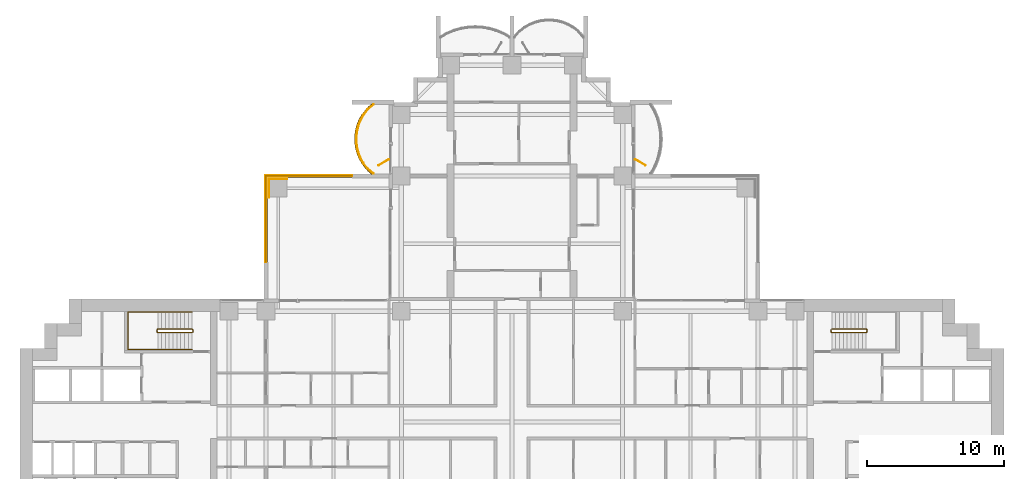
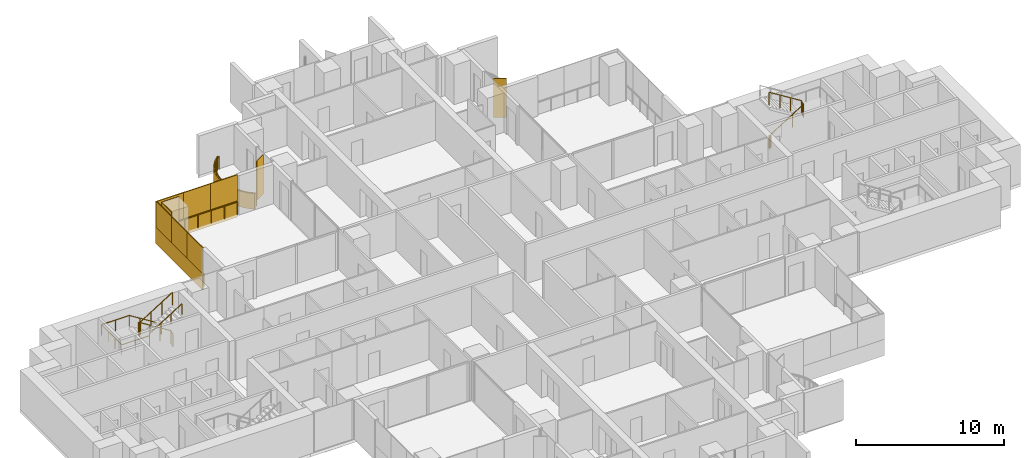
# One storey, part 19 of 20: 10 coverings, 5 railings, 2 shading devices.
"""IFC4 building model written with IfcOpenShell, lengths in metres."""

from ifc_helpers import new_model, si_unit, direction, frame, origin, origin_2d, place, context, subcontext, project, spatial, polyline, rectangle, outline, extrude, material, layer, layer_set, type_object, element, save


model = new_model("IFC4")

# Units and contexts
model_context = context("Model", 3, precision=1e-05, world=origin(), true_north=direction((0.0, 1.0)))
body_context = subcontext(model_context, "Body", "Model", "MODEL_VIEW")
ifc_project = project(units=[si_unit("LENGTHUNIT", "METRE"), si_unit("AREAUNIT", "SQUARE_METRE"), si_unit("VOLUMEUNIT", "CUBIC_METRE"), si_unit("PLANEANGLEUNIT", "RADIAN"), si_unit("MASSUNIT", "GRAM", prefix="KILO")], contexts=[model_context])

# Site, building, storey
site_placement = place(None, origin())
site = spatial("IfcSite", under=ifc_project, at=site_placement, CompositionType="ELEMENT")
building_placement = place(site_placement, origin())
building = spatial("IfcBuilding", under=site, at=building_placement, Name="Perihelion Cross Residences", CompositionType="ELEMENT")
storey_placement = place(building_placement, frame((0.0, 0.0, 82.0)))
storey = spatial("IfcBuildingStorey", under=building, at=storey_placement, Name="L18", CompositionType="ELEMENT", Elevation=82.0)

# Covering
ifc_material_1 = material(Name="Bronze anodised aluminium", Category="aluminium")
ifc_layer_1 = layer(ifc_material_1, 0.070068359375)
ifc_layer_set_1 = layer_set([ifc_layer_1], Name="Balcony fascia 1300")
covering_type_1 = type_object("IfcCoveringType", Name="Balcony fascia 1300", PredefinedType="CLADDING", material=ifc_layer_set_1)
covering_1_placement = place(storey_placement, frame((0.0, 0.0, -0.199951171875)))
element("IfcCovering", 1, at=covering_1_placement, inside=storey, type_object=covering_type_1, Name="Fascia BF1 L18 north side west bay 1", PredefinedType="CLADDING", context=body_context, shape_type="SweptSolid", body=[
    extrude(outline(polyline([(-10.674072265625, 22.90478515625), (-10.982666015625, 22.50390625), (-11.20654296875, 22.10302734375), (-11.364013671875, 21.7021484375), (-11.464599609375, 21.30126953125), (-11.513916015625, 20.900390625), (-11.513916015625, 20.49951171875), (-11.464599609375, 20.0986328125), (-11.364013671875, 19.69775390625), (-11.20654296875, 19.296875), (-10.982666015625, 18.89599609375), (-10.674072265625, 18.4951171875), (-10.302734375, 18.14990234375), (-10.199951171875, 18.14990234375), (-10.622314453125, 18.542236328125), (-10.924072265625, 18.9345703125), (-11.143310546875, 19.326904296875), (-11.29736328125, 19.71923828125), (-11.39599609375, 20.111572265625), (-11.444091796875, 20.50390625), (-11.444091796875, 20.896240234375), (-11.39599609375, 21.28857421875), (-11.29736328125, 21.6806640625), (-11.143310546875, 22.072998046875), (-10.924072265625, 22.46533203125), (-10.622314453125, 22.857666015625), (-10.199951171875, 23.25), (-10.302734375, 23.25), (-10.674072265625, 22.90478515625)])), origin(), (0.0, 0.0, 1.0), 1.300048828125),
])

# Railings
ifc_material_2 = material(Name="Bronze anodised aluminium", Category="aluminium")
railing_type_1 = type_object("IfcRailingType", Name="Balcony guard 1100", PredefinedType="GUARDRAIL", material=ifc_material_2)
railing_1_placement = place(storey_placement, frame((-10.139892578125, 23.22509765625, 0.0)))
element("IfcRailing", 2, at=railing_1_placement, inside=storey, type_object=railing_type_1, Name="Guard GU1 L18 north side west bay 1 balcony", PredefinedType="GUARDRAIL", context=body_context, shape_type="SweptSolid", body=[
    extrude(rectangle(XDim=0.048095703125, YDim=0.048095703125, at=origin_2d()), frame((0.0, 0.0, 1.076171875), z_axis=(-0.754464673757, -0.656340655493, 0.0), x_axis=(0.656340655493, -0.754464673757, 0.0)), (0.0, 0.0, 1.0), 0.559814453125),
    extrude(rectangle(XDim=0.048095703125, YDim=0.048095703125, at=origin_2d()), frame((-0.42236328125, -0.367431640625, 1.076171875), z_axis=(-0.60966308455, -0.792660660899, 0.0), x_axis=(0.792660660899, -0.60966308455, 0.0)), (0.0, 0.0, 1.0), 0.494873046875),
    extrude(rectangle(XDim=0.048095703125, YDim=0.048095703125, at=origin_2d()), frame((-0.72412109375, -0.759765625, 1.076171875), z_axis=(-0.487809182674, -0.872950285698, 0.0), x_axis=(0.872950285698, -0.487809182674, 0.0)), (0.0, 0.0, 1.0), 0.449462890625),
    extrude(rectangle(XDim=0.048095703125, YDim=0.048095703125, at=origin_2d()), frame((-0.943359375, -1.152099609375, 1.076171875), z_axis=(-0.365491079925, -0.930814842219, 0.0), x_axis=(0.930814842219, -0.365491079925, 0.0)), (0.0, 0.0, 1.0), 0.42138671875),
    extrude(rectangle(XDim=0.048095703125, YDim=0.048095703125, at=origin_2d()), frame((-1.097412109375, -1.54443359375, 1.076171875), z_axis=(-0.243956193074, -0.969786252666, 0.0), x_axis=(0.969786252666, -0.243956193074, 0.0)), (0.0, 0.0, 1.0), 0.404296875),
    extrude(rectangle(XDim=0.048095703125, YDim=0.048095703125, at=origin_2d()), frame((-1.196044921875, -1.9365234375, 1.076171875), z_axis=(-0.121677797999, -0.992569651699, 0.0), x_axis=(0.992569651699, -0.121677797999, 0.0)), (0.0, 0.0, 1.0), 0.395263671875),
    extrude(rectangle(XDim=0.048095703125, YDim=0.048095703125, at=origin_2d()), frame((-1.244140625, -2.328857421875, 1.076171875), z_axis=(0.0, -1.0, 0.0), x_axis=(1.0, 0.0, 0.0)), (0.0, 0.0, 1.0), 0.392333984375),
    extrude(rectangle(XDim=0.048095703125, YDim=0.048095703125, at=origin_2d()), frame((-1.244140625, -2.72119140625, 1.076171875), z_axis=(0.121677797999, -0.992569651699, 0.0), x_axis=(0.992569651699, 0.121677797999, 0.0)), (0.0, 0.0, 1.0), 0.395263671875),
    extrude(rectangle(XDim=0.048095703125, YDim=0.048095703125, at=origin_2d()), frame((-1.196044921875, -3.113525390625, 1.076171875), z_axis=(0.243813411509, -0.969822159145, 0.0), x_axis=(0.969822159145, 0.243813411509, 0.0)), (0.0, 0.0, 1.0), 0.404541015625),
    extrude(rectangle(XDim=0.048095703125, YDim=0.048095703125, at=origin_2d()), frame((-1.097412109375, -3.505859375, 1.076171875), z_axis=(0.365491079925, -0.930814842219, 0.0), x_axis=(0.930814842219, 0.365491079925, 0.0)), (0.0, 0.0, 1.0), 0.42138671875),
    extrude(rectangle(XDim=0.048095703125, YDim=0.048095703125, at=origin_2d()), frame((-0.943359375, -3.898193359375, 1.076171875), z_axis=(0.487809182674, -0.872950285698, 0.0), x_axis=(0.872950285698, 0.487809182674, 0.0)), (0.0, 0.0, 1.0), 0.449462890625),
    extrude(rectangle(XDim=0.048095703125, YDim=0.048095703125, at=origin_2d()), frame((-0.72412109375, -4.29052734375, 1.076171875), z_axis=(0.60966308455, -0.792660660899, 0.0), x_axis=(0.792660660899, 0.60966308455, 0.0)), (0.0, 0.0, 1.0), 0.494873046875),
    extrude(rectangle(XDim=0.048095703125, YDim=0.048095703125, at=origin_2d()), frame((-0.42236328125, -4.682861328125, 1.076171875), z_axis=(0.754680648599, -0.656092309534, 0.0), x_axis=(0.656092309534, 0.754680648599, 0.0)), (0.0, 0.0, 1.0), 0.5595703125),
    extrude(rectangle(XDim=0.0419921875, YDim=0.0419921875, at=origin_2d()), origin(), (0.0, 0.0, 1.0), 1.052001953125),
    extrude(rectangle(XDim=0.0419921875, YDim=0.0419921875, at=origin_2d()), frame((-0.42236328125, -0.367431640625, 0.0)), (0.0, 0.0, 1.0), 1.052001953125),
    extrude(rectangle(XDim=0.0419921875, YDim=0.0419921875, at=origin_2d()), frame((-0.72412109375, -0.759765625, 0.0)), (0.0, 0.0, 1.0), 1.052001953125),
    extrude(rectangle(XDim=0.0419921875, YDim=0.0419921875, at=origin_2d()), frame((-0.943359375, -1.152099609375, 0.0)), (0.0, 0.0, 1.0), 1.052001953125),
    extrude(rectangle(XDim=0.0419921875, YDim=0.0419921875, at=origin_2d()), frame((-1.097412109375, -1.54443359375, 0.0)), (0.0, 0.0, 1.0), 1.052001953125),
    extrude(rectangle(XDim=0.0419921875, YDim=0.0419921875, at=origin_2d()), frame((-1.196044921875, -1.9365234375, 0.0)), (0.0, 0.0, 1.0), 1.052001953125),
    extrude(rectangle(XDim=0.0419921875, YDim=0.0419921875, at=origin_2d()), frame((-1.244140625, -2.328857421875, 0.0)), (0.0, 0.0, 1.0), 1.052001953125),
    extrude(rectangle(XDim=0.0419921875, YDim=0.0419921875, at=origin_2d()), frame((-1.244140625, -2.72119140625, 0.0)), (0.0, 0.0, 1.0), 1.052001953125),
    extrude(rectangle(XDim=0.0419921875, YDim=0.0419921875, at=origin_2d()), frame((-1.196044921875, -3.113525390625, 0.0)), (0.0, 0.0, 1.0), 1.052001953125),
    extrude(rectangle(XDim=0.0419921875, YDim=0.0419921875, at=origin_2d()), frame((-1.097412109375, -3.505859375, 0.0)), (0.0, 0.0, 1.0), 1.052001953125),
    extrude(rectangle(XDim=0.0419921875, YDim=0.0419921875, at=origin_2d()), frame((-0.943359375, -3.898193359375, 0.0)), (0.0, 0.0, 1.0), 1.052001953125),
    extrude(rectangle(XDim=0.0419921875, YDim=0.0419921875, at=origin_2d()), frame((-0.72412109375, -4.29052734375, 0.0)), (0.0, 0.0, 1.0), 1.052001953125),
    extrude(rectangle(XDim=0.0419921875, YDim=0.0419921875, at=origin_2d()), frame((-0.42236328125, -4.682861328125, 0.0)), (0.0, 0.0, 1.0), 1.052001953125),
    extrude(rectangle(XDim=0.0419921875, YDim=0.0419921875, at=origin_2d()), frame((0.0, -5.050048828125, 0.0)), (0.0, 0.0, 1.0), 1.052001953125),
])
railing_2_placement = place(storey_placement, frame((-17.93994140625, 11.739990234375, 0.0)))
element("IfcRailing", 3, at=railing_2_placement, inside=storey, type_object=railing_type_1, Name="Guard GU1 L18 pocket north-west 1", PredefinedType="GUARDRAIL", context=body_context, shape_type="SweptSolid", body=[
    extrude(rectangle(XDim=0.048095703125, YDim=0.048095703125, at=origin_2d()), frame((0.0, 0.0, 1.076171875), z_axis=(0.0, 1.0, 0.0), x_axis=(-1.0, 0.0, 0.0)), (0.0, 0.0, 1.0), 6.199951171875),
    extrude(rectangle(XDim=0.048095703125, YDim=0.048095703125, at=origin_2d()), frame((0.0, 6.199951171875, 1.076171875), z_axis=(1.0, 0.0, 0.0), x_axis=(0.0, 1.0, 0.0)), (0.0, 0.0, 1.0), 6.199951171875),
    extrude(rectangle(XDim=0.0419921875, YDim=0.0419921875, at=origin_2d()), origin(), (0.0, 0.0, 1.0), 1.052001953125),
    extrude(rectangle(XDim=0.0419921875, YDim=0.0419921875, at=origin_2d()), frame((0.0, 1.033203125, 0.0)), (0.0, 0.0, 1.0), 1.052001953125),
    extrude(rectangle(XDim=0.0419921875, YDim=0.0419921875, at=origin_2d()), frame((0.0, 2.066650390625, 0.0)), (0.0, 0.0, 1.0), 1.052001953125),
    extrude(rectangle(XDim=0.0419921875, YDim=0.0419921875, at=origin_2d()), frame((0.0, 3.10009765625, 0.0)), (0.0, 0.0, 1.0), 1.052001953125),
    extrude(rectangle(XDim=0.0419921875, YDim=0.0419921875, at=origin_2d()), frame((0.0, 4.13330078125, 0.0)), (0.0, 0.0, 1.0), 1.052001953125),
    extrude(rectangle(XDim=0.0419921875, YDim=0.0419921875, at=origin_2d()), frame((0.0, 5.16650390625, 0.0)), (0.0, 0.0, 1.0), 1.052001953125),
    extrude(rectangle(XDim=0.0419921875, YDim=0.0419921875, at=origin_2d()), frame((0.0, 6.199951171875, 0.0)), (0.0, 0.0, 1.0), 1.052001953125),
    extrude(rectangle(XDim=0.0419921875, YDim=0.0419921875, at=origin_2d()), frame((1.033203125, 6.199951171875, 0.0)), (0.0, 0.0, 1.0), 1.052001953125),
    extrude(rectangle(XDim=0.0419921875, YDim=0.0419921875, at=origin_2d()), frame((2.066650390625, 6.199951171875, 0.0)), (0.0, 0.0, 1.0), 1.052001953125),
    extrude(rectangle(XDim=0.0419921875, YDim=0.0419921875, at=origin_2d()), frame((3.10009765625, 6.199951171875, 0.0)), (0.0, 0.0, 1.0), 1.052001953125),
    extrude(rectangle(XDim=0.0419921875, YDim=0.0419921875, at=origin_2d()), frame((4.13330078125, 6.199951171875, 0.0)), (0.0, 0.0, 1.0), 1.052001953125),
    extrude(rectangle(XDim=0.0419921875, YDim=0.0419921875, at=origin_2d()), frame((5.16650390625, 6.199951171875, 0.0)), (0.0, 0.0, 1.0), 1.052001953125),
    extrude(rectangle(XDim=0.0419921875, YDim=0.0419921875, at=origin_2d()), frame((6.199951171875, 6.199951171875, 0.0)), (0.0, 0.0, 1.0), 1.052001953125),
])

# Coverings
ifc_material_3 = material(Name="Bronze anodised aluminium", Category="aluminium")
ifc_layer_2 = layer(ifc_material_3, 0.0400390625)
ifc_layer_set_2 = layer_set([ifc_layer_2], Name="Bronze column casing 40")
covering_type_2 = type_object("IfcCoveringType", Name="Bronze column casing 40", PredefinedType="CLADDING", material=ifc_layer_set_2)
covering_2_placement = place(storey_placement, frame((-17.77001953125, 17.10009765625, -0.25), z_axis=(0.0, 0.0, 1.0), x_axis=(1.0, 0.0, 0.0)))
element("IfcCovering", 4, at=covering_2_placement, inside=storey, type_object=covering_type_2, Name="Cladding CC1 L18 casing east-west no. 2", PredefinedType="CLADDING", context=body_context, shape_type="SweptSolid", body=[
    extrude(rectangle(XDim=0.0400390625, YDim=1.3798828125, at=origin_2d()), origin(), (0.0, 0.0, 1.0), 3.5),
])
covering_3_placement = place(storey_placement, frame((-17.10009765625, 17.77001953125, -0.25), z_axis=(0.0, 0.0, 1.0), x_axis=(1.0, 0.0, 0.0)))
element("IfcCovering", 5, at=covering_3_placement, inside=storey, type_object=covering_type_2, Name="Cladding CC1 L18 casing north-south no. 2", PredefinedType="CLADDING", context=body_context, shape_type="SweptSolid", body=[
    extrude(rectangle(XDim=1.300048828125, YDim=0.0400390625, at=origin_2d()), origin(), (0.0, 0.0, 1.0), 3.5),
])

# Shading devices
ifc_material_4 = material(Name="Bronze anodised aluminium", Category="aluminium")
ifc_layer_3 = layer(ifc_material_4, 0.050048828125)
ifc_layer_set_3 = layer_set([ifc_layer_3], Name="Bronze fin 900")
shading_device_type = type_object("IfcShadingDeviceType", Name="Bronze fin 900", PredefinedType="USERDEFINED", material=ifc_layer_set_3)
for number, where, z_axis, x_axis, name in (
    (6, (9.3896484375, 19.0, 0.0), (0.0, 0.0, 1.0), (0.866025403784, -0.5, 0.0), "Fin FN1 L18 north side east bay 2"),
    (7, (-9.3896484375, 19.0, 0.0), (0.0, 0.0, 1.0), (-0.866025403784, -0.5, 0.0), "Fin FN1 L18 north side west bay 1"),
):
    element("IfcShadingDevice", number, at=place(storey_placement, frame(where, z_axis=z_axis, x_axis=x_axis)), inside=storey, type_object=shading_device_type, Name=name, ObjectType="FIN", PredefinedType="USERDEFINED", context=body_context, shape_type="SweptSolid", body=[
        extrude(rectangle(XDim=0.89990234375, YDim=0.050048828125, at=origin_2d()), origin(), (0.0, 0.0, 1.0), 3.25),
    ])

# Coverings
ifc_material_5 = material(Name="Bronze anodised aluminium", Category="aluminium")
ifc_layer_4 = layer(ifc_material_5, 0.070068359375)
ifc_layer_set_4 = layer_set([ifc_layer_4], Name="Pocket fascia 1350")
covering_type_3 = type_object("IfcCoveringType", Name="Pocket fascia 1350", PredefinedType="CLADDING", material=ifc_layer_set_4)
covering_4_placement = place(storey_placement, frame((0.0, 0.0, -0.25)))
element("IfcCovering", 8, at=covering_4_placement, inside=storey, type_object=covering_type_3, Name="Fascia BF2 L18 pocket north-west 3", PredefinedType="CLADDING", context=body_context, shape_type="SweptSolid", body=[
    extrude(outline(polyline([(-18.070068359375, 18.070068359375), (-18.070068359375, 11.699951171875), (-18.0, 11.699951171875), (-18.0, 18.0), (-11.699951171875, 18.0), (-11.699951171875, 18.070068359375), (-18.070068359375, 18.070068359375)])), origin(), (0.0, 0.0, 1.0), 1.35009765625),
])
ifc_material_6 = material(Name="Bronze perforated aluminium", Category="aluminium")
ifc_layer_5 = layer(ifc_material_6, 0.070068359375)
ifc_layer_set_5 = layer_set([ifc_layer_5], Name="Pocket solar screen, bronze perforated")
covering_type_4 = type_object("IfcCoveringType", Name="Pocket solar screen, bronze perforated", PredefinedType="CLADDING", material=ifc_layer_set_5)
covering_5_placement = place(storey_placement, frame((0.0, 0.0, 1.10009765625)))
element("IfcCovering", 9, at=covering_5_placement, inside=storey, type_object=covering_type_4, Name="Solar screen PS1 L18 pocket north-west no. 1", PredefinedType="CLADDING", context=body_context, shape_type="SweptSolid", body=[
    extrude(outline(polyline([(-18.0, 11.699951171875), (-18.0, 13.800048828125), (-18.070068359375, 13.800048828125), (-18.070068359375, 11.699951171875), (-18.0, 11.699951171875)])), origin(), (0.0, 0.0, 1.0), 2.14990234375),
])
covering_6_placement = place(storey_placement, frame((0.0, 0.0, 1.10009765625)))
element("IfcCovering", 10, at=covering_6_placement, inside=storey, type_object=covering_type_4, Name="Solar screen PS1 L18 pocket north-west no. 2", PredefinedType="CLADDING", context=body_context, shape_type="SweptSolid", body=[
    extrude(outline(polyline([(-18.0, 13.800048828125), (-18.0, 15.89990234375), (-18.070068359375, 15.89990234375), (-18.070068359375, 13.800048828125), (-18.0, 13.800048828125)])), origin(), (0.0, 0.0, 1.0), 2.14990234375),
])
covering_7_placement = place(storey_placement, frame((0.0, 0.0, 1.10009765625)))
element("IfcCovering", 11, at=covering_7_placement, inside=storey, type_object=covering_type_4, Name="Solar screen PS1 L18 pocket north-west no. 3", PredefinedType="CLADDING", context=body_context, shape_type="SweptSolid", body=[
    extrude(outline(polyline([(-18.0, 15.89990234375), (-18.0, 18.0), (-18.070068359375, 18.0), (-18.070068359375, 15.89990234375), (-18.0, 15.89990234375)])), origin(), (0.0, 0.0, 1.0), 2.14990234375),
])
covering_8_placement = place(storey_placement, frame((0.0, 0.0, 1.10009765625)))
element("IfcCovering", 12, at=covering_8_placement, inside=storey, type_object=covering_type_4, Name="Solar screen PS1 L18 pocket north-west no. 4", PredefinedType="CLADDING", context=body_context, shape_type="SweptSolid", body=[
    extrude(outline(polyline([(-15.94677734375, 18.0), (-15.94677734375, 18.070068359375), (-18.070068359375, 18.070068359375), (-18.070068359375, 18.0), (-15.94677734375, 18.0)])), origin(), (0.0, 0.0, 1.0), 2.14990234375),
])
covering_9_placement = place(storey_placement, frame((0.0, 0.0, 1.10009765625)))
element("IfcCovering", 13, at=covering_9_placement, inside=storey, type_object=covering_type_4, Name="Solar screen PS1 L18 pocket north-west no. 5", PredefinedType="CLADDING", context=body_context, shape_type="SweptSolid", body=[
    extrude(outline(polyline([(-13.8232421875, 18.0), (-13.8232421875, 18.070068359375), (-15.94677734375, 18.070068359375), (-15.94677734375, 18.0), (-13.8232421875, 18.0)])), origin(), (0.0, 0.0, 1.0), 2.14990234375),
])
covering_10_placement = place(storey_placement, frame((0.0, 0.0, 1.10009765625)))
element("IfcCovering", 14, at=covering_10_placement, inside=storey, type_object=covering_type_4, Name="Solar screen PS1 L18 pocket north-west no. 6", PredefinedType="CLADDING", context=body_context, shape_type="SweptSolid", body=[
    extrude(outline(polyline([(-11.699951171875, 18.0), (-11.699951171875, 18.070068359375), (-13.8232421875, 18.070068359375), (-13.8232421875, 18.0), (-11.699951171875, 18.0)])), origin(), (0.0, 0.0, 1.0), 2.14990234375),
])

# Railings
ifc_material_7 = material(Name="Stainless steel", Category="steel")
railing_type_2 = type_object("IfcRailingType", Name="Stair guard 1100", PredefinedType="GUARDRAIL", material=ifc_material_7)
railing_3_placement = place(storey_placement, frame((23.35009765625, 6.75, 0.0)))
element("IfcRailing", 15, at=railing_3_placement, inside=storey, type_object=railing_type_2, Name="L18 ST-E1 stair guard 1", PredefinedType="GUARDRAIL", context=body_context, shape_type="SweptSolid", body=[
    extrude(rectangle(XDim=0.048095703125, YDim=0.048095703125, at=origin_2d()), frame((0.0, 0.0, 1.076171875), z_axis=(0.0, -1.0, 0.0), x_axis=(1.0, 0.0, 0.0)), (0.0, 0.0, 1.0), 0.14990234375),
    extrude(rectangle(XDim=0.048095703125, YDim=0.048095703125, at=origin_2d()), frame((0.0, -0.14990234375, 1.076171875), z_axis=(0.263862480399, -0.265155923931, 0.927399011991), x_axis=(0.708833529934, 0.705375805398, 0.0)), (0.0, 0.0, 1.0), 0.188720703125),
    extrude(rectangle(XDim=0.048095703125, YDim=0.048095703125, at=origin_2d()), frame((0.0498046875, -0.199951171875, 1.2509765625), z_axis=(0.848007534815, 0.0, 0.529984170421), x_axis=(0.0, 1.0, 0.0)), (0.0, 0.0, 1.0), 2.9716796875),
    extrude(rectangle(XDim=0.048095703125, YDim=0.048095703125, at=origin_2d()), frame((2.56982421875, -0.199951171875, 2.826171875), z_axis=(0.707106781187, 0.707106781187, 0.0), x_axis=(-0.707106781187, 0.707106781187, 0.0)), (0.0, 0.0, 1.0), 0.07080078125),
    extrude(rectangle(XDim=0.048095703125, YDim=0.048095703125, at=origin_2d()), frame((2.619873046875, -0.14990234375, 2.826171875), z_axis=(0.0, 1.0, 0.0), x_axis=(-1.0, 0.0, 0.0)), (0.0, 0.0, 1.0), 0.14990234375),
    extrude(rectangle(XDim=0.048095703125, YDim=0.048095703125, at=origin_2d()), frame((2.619873046875, 0.0, 2.826171875), z_axis=(-0.265065253269, 0.265065253269, 0.927081885822), x_axis=(-0.707106781187, -0.707106781187, 0.0)), (0.0, 0.0, 1.0), 0.188720703125),
    extrude(rectangle(XDim=0.048095703125, YDim=0.048095703125, at=origin_2d()), frame((2.56982421875, 0.050048828125, 3.0009765625), z_axis=(-0.848007534815, 0.0, 0.529984170421), x_axis=(0.0, -1.0, 0.0)), (0.0, 0.0, 1.0), 2.9716796875),
    extrude(rectangle(XDim=0.0419921875, YDim=0.0419921875, at=origin_2d()), origin(), (0.0, 0.0, 1.0), 1.052001953125),
    extrude(rectangle(XDim=0.0419921875, YDim=0.0419921875, at=origin_2d()), frame((0.0, -0.14990234375, 0.0)), (0.0, 0.0, 1.0), 1.052001953125),
    extrude(rectangle(XDim=0.0419921875, YDim=0.0419921875, at=origin_2d()), frame((0.0498046875, -0.199951171875, 0.175048828125)), (0.0, 0.0, 1.0), 1.052001953125),
    extrude(rectangle(XDim=0.0419921875, YDim=0.0419921875, at=origin_2d()), frame((0.889892578125, -0.199951171875, 0.699951171875)), (0.0, 0.0, 1.0), 1.052001953125),
    extrude(rectangle(XDim=0.0419921875, YDim=0.0419921875, at=origin_2d()), frame((1.729736328125, -0.199951171875, 1.22509765625)), (0.0, 0.0, 1.0), 1.052001953125),
    extrude(rectangle(XDim=0.0419921875, YDim=0.0419921875, at=origin_2d()), frame((2.56982421875, -0.199951171875, 1.75)), (0.0, 0.0, 1.0), 1.052001953125),
    extrude(rectangle(XDim=0.0419921875, YDim=0.0419921875, at=origin_2d()), frame((2.619873046875, -0.14990234375, 1.75)), (0.0, 0.0, 1.0), 1.052001953125),
    extrude(rectangle(XDim=0.0419921875, YDim=0.0419921875, at=origin_2d()), frame((2.619873046875, 0.0, 1.75)), (0.0, 0.0, 1.0), 1.052001953125),
    extrude(rectangle(XDim=0.0419921875, YDim=0.0419921875, at=origin_2d()), frame((2.56982421875, 0.050048828125, 1.925048828125)), (0.0, 0.0, 1.0), 1.052001953125),
    extrude(rectangle(XDim=0.0419921875, YDim=0.0419921875, at=origin_2d()), frame((1.729736328125, 0.050048828125, 2.449951171875)), (0.0, 0.0, 1.0), 1.052001953125),
    extrude(rectangle(XDim=0.0419921875, YDim=0.0419921875, at=origin_2d()), frame((0.889892578125, 0.050048828125, 2.97509765625)), (0.0, 0.0, 1.0), 1.052001953125),
    extrude(rectangle(XDim=0.0419921875, YDim=0.0419921875, at=origin_2d()), frame((0.0498046875, 0.050048828125, 3.5)), (0.0, 0.0, 1.0), 1.052001953125),
])
railing_4_placement = place(storey_placement, frame((-23.35009765625, 6.60009765625, 0.0)))
element("IfcRailing", 16, at=railing_4_placement, inside=storey, type_object=railing_type_2, Name="L18 ST-W1 stair guard 1", PredefinedType="GUARDRAIL", context=body_context, shape_type="SweptSolid", body=[
    extrude(rectangle(XDim=0.048095703125, YDim=0.048095703125, at=origin_2d()), frame((0.0, 0.0, 1.076171875), z_axis=(0.0, 1.0, 0.0), x_axis=(-1.0, 0.0, 0.0)), (0.0, 0.0, 1.0), 0.14990234375),
    extrude(rectangle(XDim=0.048095703125, YDim=0.048095703125, at=origin_2d()), frame((0.0, 0.14990234375, 1.076171875), z_axis=(-0.263862480399, 0.265155923931, 0.927399011991), x_axis=(-0.708833529934, -0.705375805398, 0.0)), (0.0, 0.0, 1.0), 0.188720703125),
    extrude(rectangle(XDim=0.048095703125, YDim=0.048095703125, at=origin_2d()), frame((-0.0498046875, 0.199951171875, 1.2509765625), z_axis=(-0.848007534815, 0.0, 0.529984170421), x_axis=(0.0, -1.0, 0.0)), (0.0, 0.0, 1.0), 2.9716796875),
    extrude(rectangle(XDim=0.048095703125, YDim=0.048095703125, at=origin_2d()), frame((-2.56982421875, 0.199951171875, 2.826171875), z_axis=(-0.707106781187, -0.707106781187, 0.0), x_axis=(0.707106781187, -0.707106781187, 0.0)), (0.0, 0.0, 1.0), 0.07080078125),
    extrude(rectangle(XDim=0.048095703125, YDim=0.048095703125, at=origin_2d()), frame((-2.619873046875, 0.14990234375, 2.826171875), z_axis=(0.0, -1.0, 0.0), x_axis=(1.0, 0.0, 0.0)), (0.0, 0.0, 1.0), 0.14990234375),
    extrude(rectangle(XDim=0.048095703125, YDim=0.048095703125, at=origin_2d()), frame((-2.619873046875, 0.0, 2.826171875), z_axis=(0.265065253269, -0.265065253269, 0.927081885822), x_axis=(0.707106781187, 0.707106781187, 0.0)), (0.0, 0.0, 1.0), 0.188720703125),
    extrude(rectangle(XDim=0.048095703125, YDim=0.048095703125, at=origin_2d()), frame((-2.56982421875, -0.050048828125, 3.0009765625), z_axis=(0.848007534815, 0.0, 0.529984170421), x_axis=(0.0, 1.0, 0.0)), (0.0, 0.0, 1.0), 2.9716796875),
    extrude(rectangle(XDim=0.0419921875, YDim=0.0419921875, at=origin_2d()), origin(), (0.0, 0.0, 1.0), 1.052001953125),
    extrude(rectangle(XDim=0.0419921875, YDim=0.0419921875, at=origin_2d()), frame((0.0, 0.14990234375, 0.0)), (0.0, 0.0, 1.0), 1.052001953125),
    extrude(rectangle(XDim=0.0419921875, YDim=0.0419921875, at=origin_2d()), frame((-0.0498046875, 0.199951171875, 0.175048828125)), (0.0, 0.0, 1.0), 1.052001953125),
    extrude(rectangle(XDim=0.0419921875, YDim=0.0419921875, at=origin_2d()), frame((-0.889892578125, 0.199951171875, 0.699951171875)), (0.0, 0.0, 1.0), 1.052001953125),
    extrude(rectangle(XDim=0.0419921875, YDim=0.0419921875, at=origin_2d()), frame((-1.729736328125, 0.199951171875, 1.22509765625)), (0.0, 0.0, 1.0), 1.052001953125),
    extrude(rectangle(XDim=0.0419921875, YDim=0.0419921875, at=origin_2d()), frame((-2.56982421875, 0.199951171875, 1.75)), (0.0, 0.0, 1.0), 1.052001953125),
    extrude(rectangle(XDim=0.0419921875, YDim=0.0419921875, at=origin_2d()), frame((-2.619873046875, 0.14990234375, 1.75)), (0.0, 0.0, 1.0), 1.052001953125),
    extrude(rectangle(XDim=0.0419921875, YDim=0.0419921875, at=origin_2d()), frame((-2.619873046875, 0.0, 1.75)), (0.0, 0.0, 1.0), 1.052001953125),
    extrude(rectangle(XDim=0.0419921875, YDim=0.0419921875, at=origin_2d()), frame((-2.56982421875, -0.050048828125, 1.925048828125)), (0.0, 0.0, 1.0), 1.052001953125),
    extrude(rectangle(XDim=0.0419921875, YDim=0.0419921875, at=origin_2d()), frame((-1.729736328125, -0.050048828125, 2.449951171875)), (0.0, 0.0, 1.0), 1.052001953125),
    extrude(rectangle(XDim=0.0419921875, YDim=0.0419921875, at=origin_2d()), frame((-0.889892578125, -0.050048828125, 2.97509765625)), (0.0, 0.0, 1.0), 1.052001953125),
    extrude(rectangle(XDim=0.0419921875, YDim=0.0419921875, at=origin_2d()), frame((-0.0498046875, -0.050048828125, 3.5)), (0.0, 0.0, 1.0), 1.052001953125),
])
ifc_material_8 = material(Name="Stainless steel", Category="steel")
railing_type_3 = type_object("IfcRailingType", Name="Stair handrail 900", PredefinedType="HANDRAIL", material=ifc_material_8)
railing_5_placement = place(storey_placement, frame((-23.39990234375, 8.050048828125, 0.175048828125)))
element("IfcRailing", 17, at=railing_5_placement, inside=storey, type_object=railing_type_3, Name="L18 ST-W1 stair handrail 1", PredefinedType="HANDRAIL", context=body_context, shape_type="SweptSolid", body=[
    extrude(rectangle(XDim=0.048095703125, YDim=0.048095703125, at=origin_2d()), frame((0.0, 0.0, 0.8759765625), z_axis=(-0.848007534815, 0.0, 0.529984170421), x_axis=(0.0, -1.0, 0.0)), (0.0, 0.0, 1.0), 2.9716796875),
    extrude(rectangle(XDim=0.048095703125, YDim=0.048095703125, at=origin_2d()), frame((-2.52001953125, 0.0, 2.45068359375), z_axis=(-1.0, 0.0, 0.0), x_axis=(0.0, -1.0, 0.0)), (0.0, 0.0, 1.0), 2.18017578125),
    extrude(rectangle(XDim=0.048095703125, YDim=0.048095703125, at=origin_2d()), frame((-4.7001953125, 0.0, 2.45068359375), z_axis=(0.0, -1.0, 0.0), x_axis=(1.0, 0.0, 0.0)), (0.0, 0.0, 1.0), 2.75),
    extrude(rectangle(XDim=0.048095703125, YDim=0.048095703125, at=origin_2d()), frame((-4.7001953125, -2.75, 2.45068359375), z_axis=(1.0, 0.0, 0.0), x_axis=(0.0, 1.0, 0.0)), (0.0, 0.0, 1.0), 2.18017578125),
    extrude(rectangle(XDim=0.048095703125, YDim=0.048095703125, at=origin_2d()), frame((-2.52001953125, -2.75, 2.45068359375), z_axis=(0.0, 0.0, 1.0), x_axis=(1.0, 0.0, 0.0)), (0.0, 0.0, 1.0), 0.175048828125),
    extrude(rectangle(XDim=0.048095703125, YDim=0.048095703125, at=origin_2d()), frame((-2.52001953125, -2.75, 2.6259765625), z_axis=(0.848007534815, 0.0, 0.529984170421), x_axis=(0.0, 1.0, 0.0)), (0.0, 0.0, 1.0), 2.9716796875),
    extrude(rectangle(XDim=0.0419921875, YDim=0.0419921875, at=origin_2d()), origin(), (0.0, 0.0, 1.0), 0.851806640625),
    extrude(rectangle(XDim=0.0419921875, YDim=0.0419921875, at=origin_2d()), frame((-0.840087890625, 0.0, 0.52490234375)), (0.0, 0.0, 1.0), 0.851806640625),
    extrude(rectangle(XDim=0.0419921875, YDim=0.0419921875, at=origin_2d()), frame((-1.679931640625, 0.0, 1.050048828125)), (0.0, 0.0, 1.0), 0.851806640625),
    extrude(rectangle(XDim=0.0419921875, YDim=0.0419921875, at=origin_2d()), frame((-2.52001953125, 0.0, 1.574951171875)), (0.0, 0.0, 1.0), 0.851806640625),
    extrude(rectangle(XDim=0.0419921875, YDim=0.0419921875, at=origin_2d()), frame((-3.610107421875, 0.0, 1.574951171875)), (0.0, 0.0, 1.0), 0.851806640625),
    extrude(rectangle(XDim=0.0419921875, YDim=0.0419921875, at=origin_2d()), frame((-4.7001953125, 0.0, 1.574951171875)), (0.0, 0.0, 1.0), 0.851806640625),
    extrude(rectangle(XDim=0.0419921875, YDim=0.0419921875, at=origin_2d()), frame((-4.7001953125, -0.916748046875, 1.574951171875)), (0.0, 0.0, 1.0), 0.851806640625),
    extrude(rectangle(XDim=0.0419921875, YDim=0.0419921875, at=origin_2d()), frame((-4.7001953125, -1.833251953125, 1.574951171875)), (0.0, 0.0, 1.0), 0.851806640625),
    extrude(rectangle(XDim=0.0419921875, YDim=0.0419921875, at=origin_2d()), frame((-4.7001953125, -2.75, 1.574951171875)), (0.0, 0.0, 1.0), 0.851806640625),
    extrude(rectangle(XDim=0.0419921875, YDim=0.0419921875, at=origin_2d()), frame((-3.610107421875, -2.75, 1.574951171875)), (0.0, 0.0, 1.0), 0.851806640625),
    extrude(rectangle(XDim=0.0419921875, YDim=0.0419921875, at=origin_2d()), frame((-2.52001953125, -2.75, 1.574951171875)), (0.0, 0.0, 1.0), 0.851806640625),
    extrude(rectangle(XDim=0.0419921875, YDim=0.0419921875, at=origin_2d()), frame((-2.52001953125, -2.75, 1.75)), (0.0, 0.0, 1.0), 0.851806640625),
    extrude(rectangle(XDim=0.0419921875, YDim=0.0419921875, at=origin_2d()), frame((-1.679931640625, -2.75, 2.27490234375)), (0.0, 0.0, 1.0), 0.851806640625),
    extrude(rectangle(XDim=0.0419921875, YDim=0.0419921875, at=origin_2d()), frame((-0.840087890625, -2.75, 2.800048828125)), (0.0, 0.0, 1.0), 0.851806640625),
    extrude(rectangle(XDim=0.0419921875, YDim=0.0419921875, at=origin_2d()), frame((0.0, -2.75, 3.324951171875)), (0.0, 0.0, 1.0), 0.851806640625),
])

save(model, "model.ifc")
